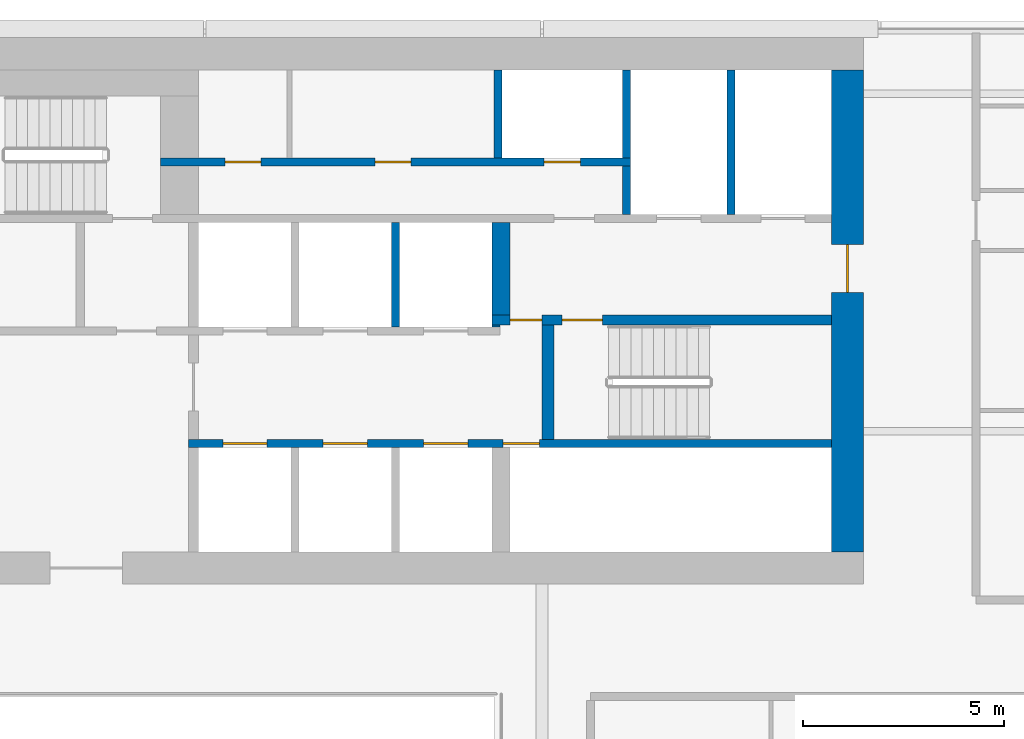
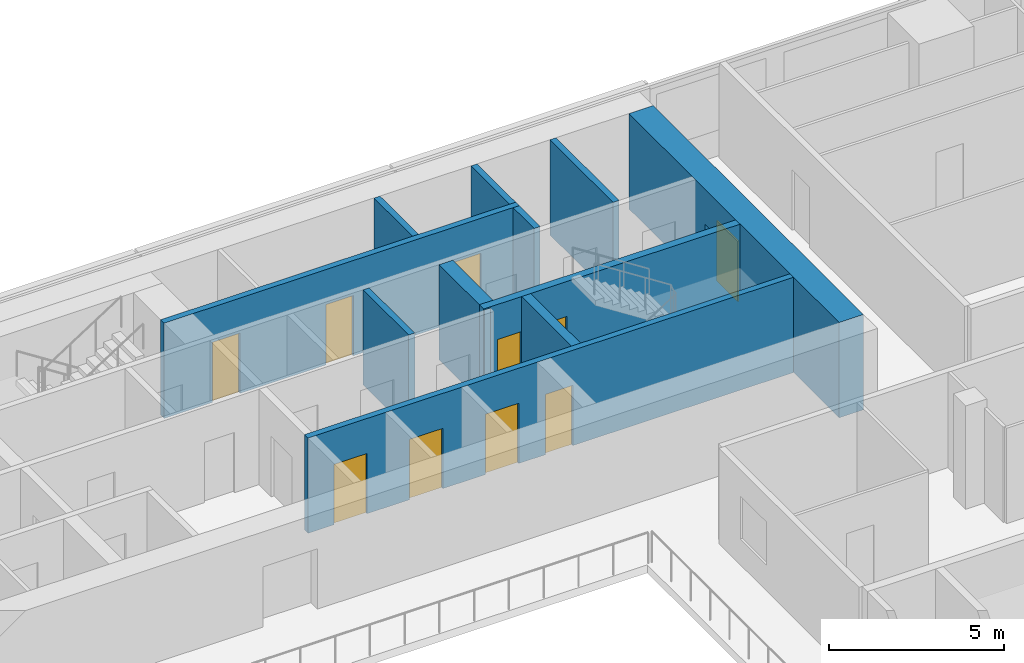
# One storey, part 23 of 29: 12 walls, 10 doors, 10 openings.
"""IFC4 building model written with IfcOpenShell, lengths in metres."""

from ifc_helpers import new_model, si_unit, direction, frame, frame_2d, origin, place, context, subcontext, project, spatial, rectangle, extrude, material, layer, layer_set, type_object, element, fill, save


model = new_model("IFC4")

# Units and contexts
model_context = context("Model", 3, precision=1e-05, world=origin(), true_north=direction((0.0, 1.0)))
body_context = subcontext(model_context, "Body", "Model", "MODEL_VIEW")
ifc_project = project(units=[si_unit("LENGTHUNIT", "METRE"), si_unit("AREAUNIT", "SQUARE_METRE"), si_unit("VOLUMEUNIT", "CUBIC_METRE"), si_unit("PLANEANGLEUNIT", "RADIAN"), si_unit("MASSUNIT", "GRAM", prefix="KILO")], contexts=[model_context])

# Site, building, storey
site_placement = place(None, origin())
site = spatial("IfcSite", under=ifc_project, at=site_placement, CompositionType="ELEMENT")
building_placement = place(site_placement, origin())
building = spatial("IfcBuilding", under=site, at=building_placement, Name="Saffron Gate Tower", CompositionType="ELEMENT")
storey_placement = place(building_placement, frame((0.0, 0.0, 161.85009765625)))
storey = spatial("IfcBuildingStorey", under=building, at=storey_placement, Name="L39", CompositionType="ELEMENT", Elevation=161.85009765625)

# Wall, opening, door
ifc_material_1 = material(Name="Concrete C60", Category="concrete")
ifc_layer_1 = layer(ifc_material_1, 0.800048828125)
ifc_layer_set_1 = layer_set([ifc_layer_1], Name="CW13 RC core wall 800 C60")
wall_type_1 = type_object("IfcWallType", Name="CW13 RC core wall 800 C60", PredefinedType="SOLIDWALL", material=ifc_layer_set_1)
wall_1_placement = place(storey_placement, frame((107.800048828125, 62.39990234375, 0.0), z_axis=(0.0, 0.0, 1.0), x_axis=(0.0, 1.0, 0.0)))
wall_1 = element("IfcWall", 1, at=wall_1_placement, inside=storey, type_object=wall_type_1, Name="Wall CW13-L39-4", PredefinedType="SOLIDWALL", context=body_context, shape_type="SweptSolid", body=[
    extrude(rectangle(XDim=12.0, YDim=0.800048828125, at=frame_2d((6.0, 0.0))), origin(), (0.0, 0.0, 1.0), 3.31982421875),
])
opening_1_placement = place(wall_1_placement, frame((6.449951171875, 0.0, 0.0)))
opening_1 = element("IfcOpeningElement", 2, at=opening_1_placement, cuts=wall_1, Name="Opening CR-08", PredefinedType="OPENING", context=body_context, shape_type="SweptSolid", body=[
    extrude(rectangle(XDim=1.199951171875, YDim=2.10009765625, at=frame_2d((0.60009765625, 1.050048828125))), frame((0.0, 0.41015625, 0.0), z_axis=(0.0, -1.0, 0.0), x_axis=(1.0, 0.0, 0.0)), (0.0, 0.0, 1.0), 0.820068359375),
])
ifc_material_2 = material(Name="Steel fire door set", Category="steel")
door_type_1 = type_object("IfcDoorType", Name="CD7 Core entrance door 1200x2100 EI 120", OperationType="NOTDEFINED", PredefinedType="DOOR", material=ifc_material_2)
door_1_placement = place(opening_1_placement, origin())
door_1 = element("IfcDoor", 3, at=door_1_placement, inside=storey, type_object=door_type_1, Name="DOOR CR-08", OperationType="SINGLE_SWING_RIGHT", OverallHeight=2.10009765625, OverallWidth=1.199951171875, PredefinedType="DOOR", context=body_context, shape_type="SweptSolid", body=[
    extrude(rectangle(XDim=1.199951171875, YDim=2.10009765625, at=frame_2d((0.60009765625, 1.050048828125))), frame((0.0, 0.02490234375, 0.0), z_axis=(0.0, -1.0, 0.0), x_axis=(1.0, 0.0, 0.0)), (0.0, 0.0, 1.0), 0.050048828125),
])
fill(opening_1, door_1)

# Wall, openings, doors
ifc_layer_2 = layer(ifc_material_1, 0.25)
ifc_layer_set_2 = layer_set([ifc_layer_2], Name="CW14 RC core wall 250 C60")
wall_type_2 = type_object("IfcWallType", Name="CW14 RC core wall 250 C60", PredefinedType="SOLIDWALL", material=ifc_layer_set_2)
wall_2_placement = place(storey_placement, frame((98.949951171875, 68.175048828125, 0.0), z_axis=(0.0, 0.0, 1.0), x_axis=(1.0, 0.0, 0.0)))
wall_2 = element("IfcWall", 4, at=wall_2_placement, inside=storey, type_object=wall_type_2, Name="Wall CW14-L39-27", PredefinedType="SOLIDWALL", context=body_context, shape_type="SweptSolid", body=[
    extrude(rectangle(XDim=8.449951171875, YDim=0.25, at=frame_2d((4.22509765625, 0.0))), origin(), (0.0, 0.0, 1.0), 3.31982421875),
])
opening_2_placement = place(wall_2_placement, frame((0.449951171875, 0.0, 0.0)))
opening_2 = element("IfcOpeningElement", 5, at=opening_2_placement, cuts=wall_2, Name="Opening CR-05", PredefinedType="OPENING", context=body_context, shape_type="SweptSolid", body=[
    extrude(rectangle(XDim=0.800048828125, YDim=2.10009765625, at=frame_2d((0.39990234375, 1.050048828125))), frame((0.0, 0.135009765625, 0.0), z_axis=(0.0, -1.0, 0.0), x_axis=(1.0, 0.0, 0.0)), (0.0, 0.0, 1.0), 0.27001953125),
])
opening_3_placement = place(wall_2_placement, frame((1.75, 0.0, 0.0)))
opening_3 = element("IfcOpeningElement", 6, at=opening_3_placement, cuts=wall_2, Name="Opening CR-16", PredefinedType="OPENING", context=body_context, shape_type="SweptSolid", body=[
    extrude(rectangle(XDim=1.0, YDim=2.10009765625, at=frame_2d((0.5, 1.050048828125))), frame((0.0, 0.135009765625, 0.0), z_axis=(0.0, -1.0, 0.0), x_axis=(1.0, 0.0, 0.0)), (0.0, 0.0, 1.0), 0.27001953125),
])
door_type_2 = type_object("IfcDoorType", Name="CD5 Stair door 1000x2100 EI 120", OperationType="NOTDEFINED", PredefinedType="DOOR", material=ifc_material_2)
door_2_placement = place(opening_3_placement, origin())
door_2 = element("IfcDoor", 7, at=door_2_placement, inside=storey, type_object=door_type_2, Name="DOOR CR-16", OperationType="SINGLE_SWING_RIGHT", OverallHeight=2.10009765625, OverallWidth=1.0, PredefinedType="DOOR", context=body_context, shape_type="SweptSolid", body=[
    extrude(rectangle(XDim=1.0, YDim=2.10009765625, at=frame_2d((0.5, 1.050048828125))), frame((0.0, 0.02490234375, 0.0), z_axis=(0.0, -1.0, 0.0), x_axis=(1.0, 0.0, 0.0)), (0.0, 0.0, 1.0), 0.050048828125),
])
fill(opening_3, door_2)
door_type_3 = type_object("IfcDoorType", Name="CD6 Lobby door 800x2100 EI 120", OperationType="NOTDEFINED", PredefinedType="DOOR", material=ifc_material_2)
door_3_placement = place(opening_2_placement, origin())
door_3 = element("IfcDoor", 8, at=door_3_placement, inside=storey, type_object=door_type_3, Name="DOOR CR-05", OperationType="SINGLE_SWING_LEFT", OverallHeight=2.10009765625, OverallWidth=0.800048828125, PredefinedType="DOOR", context=body_context, shape_type="SweptSolid", body=[
    extrude(rectangle(XDim=0.800048828125, YDim=2.10009765625, at=frame_2d((0.39990234375, 1.050048828125))), frame((0.0, 0.02490234375, 0.0), z_axis=(0.0, -1.0, 0.0), x_axis=(1.0, 0.0, 0.0)), (0.0, 0.0, 1.0), 0.050048828125),
])
fill(opening_2, door_3)

ifc_layer_3 = layer(ifc_material_1, 0.199951171875)
ifc_layer_set_3 = layer_set([ifc_layer_3], Name="CW15 RC core wall 200 C60")
wall_type_3 = type_object("IfcWallType", Name="CW15 RC core wall 200 C60", PredefinedType="SOLIDWALL", material=ifc_layer_set_3)
wall_3_placement = place(storey_placement, frame((91.39990234375, 65.10009765625, 0.0), z_axis=(0.0, 0.0, 1.0), x_axis=(1.0, 0.0, 0.0)))
wall_3 = element("IfcWall", 9, at=wall_3_placement, inside=storey, type_object=wall_type_3, Name="Wall CW15-L39-14", PredefinedType="SOLIDWALL", context=body_context, shape_type="SweptSolid", body=[
    extrude(rectangle(XDim=16.0, YDim=0.199951171875, at=frame_2d((8.0, 0.0))), origin(), (0.0, 0.0, 1.0), 3.31982421875),
])
opening_4_placement = place(wall_3_placement, frame((0.85009765625, 0.0, 0.0)))
opening_4 = element("IfcOpeningElement", 10, at=opening_4_placement, cuts=wall_3, Name="Opening LD-HR1", PredefinedType="OPENING", context=body_context, shape_type="SweptSolid", body=[
    extrude(rectangle(XDim=1.10009765625, YDim=2.10009765625, at=frame_2d((0.550048828125, 1.050048828125))), frame((0.0, 0.10986328125, 0.0), z_axis=(0.0, -1.0, 0.0), x_axis=(1.0, 0.0, 0.0)), (0.0, 0.0, 1.0), 0.219970703125),
])
opening_5_placement = place(wall_3_placement, frame((3.35009765625, 0.0, 0.0)))
opening_5 = element("IfcOpeningElement", 11, at=opening_5_placement, cuts=wall_3, Name="Opening LD-HR2", PredefinedType="OPENING", context=body_context, shape_type="SweptSolid", body=[
    extrude(rectangle(XDim=1.10009765625, YDim=2.10009765625, at=frame_2d((0.550048828125, 1.050048828125))), frame((0.0, 0.10986328125, 0.0), z_axis=(0.0, -1.0, 0.0), x_axis=(1.0, 0.0, 0.0)), (0.0, 0.0, 1.0), 0.219970703125),
])
opening_6_placement = place(wall_3_placement, frame((5.85009765625, 0.0, 0.0)))
opening_6 = element("IfcOpeningElement", 12, at=opening_6_placement, cuts=wall_3, Name="Opening LD-HR3", PredefinedType="OPENING", context=body_context, shape_type="SweptSolid", body=[
    extrude(rectangle(XDim=1.10009765625, YDim=2.10009765625, at=frame_2d((0.550048828125, 1.050048828125))), frame((0.0, 0.10986328125, 0.0), z_axis=(0.0, -1.0, 0.0), x_axis=(1.0, 0.0, 0.0)), (0.0, 0.0, 1.0), 0.219970703125),
])
opening_7_placement = place(wall_3_placement, frame((7.830078125, 0.0, 0.0)))
opening_7 = element("IfcOpeningElement", 13, at=opening_7_placement, cuts=wall_3, Name="Opening CR-48", PredefinedType="OPENING", context=body_context, shape_type="SweptSolid", body=[
    extrude(rectangle(XDim=0.89990234375, YDim=2.10009765625, at=frame_2d((0.449951171875, 1.050048828125))), frame((0.0, 0.10986328125, 0.0), z_axis=(0.0, -1.0, 0.0), x_axis=(1.0, 0.0, 0.0)), (0.0, 0.0, 1.0), 0.219970703125),
])
door_type_4 = type_object("IfcDoorType", Name="CD2 Riser door 900x2100 EI 60", OperationType="NOTDEFINED", PredefinedType="DOOR", material=ifc_material_2)
door_4_placement = place(opening_7_placement, origin())
door_4 = element("IfcDoor", 14, at=door_4_placement, inside=storey, type_object=door_type_4, Name="DOOR CR-48", OperationType="SINGLE_SWING_RIGHT", OverallHeight=2.10009765625, OverallWidth=0.89990234375, PredefinedType="DOOR", context=body_context, shape_type="SweptSolid", body=[
    extrude(rectangle(XDim=0.89990234375, YDim=2.10009765625, at=frame_2d((0.449951171875, 1.050048828125))), frame((0.0, 0.02490234375, 0.0), z_axis=(0.0, -1.0, 0.0), x_axis=(1.0, 0.0, 0.0)), (0.0, 0.0, 1.0), 0.050048828125),
])
fill(opening_7, door_4)
ifc_material_3 = material(Name="Stainless steel landing door", Category="steel")
door_type_5 = type_object("IfcDoorType", Name="LD Lift landing door 1100x2100 EI 120", OperationType="SLIDING_TO_LEFT", PredefinedType="DOOR", material=ifc_material_3)
door_5_placement = place(opening_4_placement, origin())
door_5 = element("IfcDoor", 15, at=door_5_placement, inside=storey, type_object=door_type_5, Name="LANDING DOOR LD-HR1", OperationType="SLIDING_TO_LEFT", OverallHeight=2.10009765625, OverallWidth=1.10009765625, PredefinedType="DOOR", context=body_context, shape_type="SweptSolid", body=[
    extrude(rectangle(XDim=1.10009765625, YDim=2.10009765625, at=frame_2d((0.550048828125, 1.050048828125))), frame((0.0, 0.02490234375, 0.0), z_axis=(0.0, -1.0, 0.0), x_axis=(1.0, 0.0, 0.0)), (0.0, 0.0, 1.0), 0.050048828125),
])
fill(opening_4, door_5)
door_6_placement = place(opening_5_placement, origin())
door_6 = element("IfcDoor", 16, at=door_6_placement, inside=storey, type_object=door_type_5, Name="LANDING DOOR LD-HR2", OperationType="SLIDING_TO_LEFT", OverallHeight=2.10009765625, OverallWidth=1.10009765625, PredefinedType="DOOR", context=body_context, shape_type="SweptSolid", body=[
    extrude(rectangle(XDim=1.10009765625, YDim=2.10009765625, at=frame_2d((0.550048828125, 1.050048828125))), frame((0.0, 0.02490234375, 0.0), z_axis=(0.0, -1.0, 0.0), x_axis=(1.0, 0.0, 0.0)), (0.0, 0.0, 1.0), 0.050048828125),
])
fill(opening_5, door_6)
door_7_placement = place(opening_6_placement, origin())
door_7 = element("IfcDoor", 17, at=door_7_placement, inside=storey, type_object=door_type_5, Name="LANDING DOOR LD-HR3", OperationType="SLIDING_TO_LEFT", OverallHeight=2.10009765625, OverallWidth=1.10009765625, PredefinedType="DOOR", context=body_context, shape_type="SweptSolid", body=[
    extrude(rectangle(XDim=1.10009765625, YDim=2.10009765625, at=frame_2d((0.550048828125, 1.050048828125))), frame((0.0, 0.02490234375, 0.0), z_axis=(0.0, -1.0, 0.0), x_axis=(1.0, 0.0, 0.0)), (0.0, 0.0, 1.0), 0.050048828125),
])
fill(opening_6, door_7)

# Walls
wall_4_placement = place(storey_placement, frame((96.550048828125, 68.0, 0.0), z_axis=(0.0, 0.0, 1.0), x_axis=(0.0, 1.0, 0.0)))
element("IfcWall", 18, at=wall_4_placement, inside=storey, type_object=wall_type_3, Name="Wall CW15-L39-24", PredefinedType="SOLIDWALL", context=body_context, shape_type="SweptSolid", body=[
    extrude(rectangle(XDim=2.60009765625, YDim=0.199951171875, at=frame_2d((1.300048828125, 0.0))), origin(), (0.0, 0.0, 1.0), 3.31982421875),
])
wall_5_placement = place(storey_placement, frame((102.300048828125, 70.800048828125, 0.0), z_axis=(0.0, 0.0, 1.0), x_axis=(0.0, 1.0, 0.0)))
element("IfcWall", 19, at=wall_5_placement, inside=storey, type_object=wall_type_3, Name="Wall CW15-L39-35", PredefinedType="SOLIDWALL", context=body_context, shape_type="SweptSolid", body=[
    extrude(rectangle(XDim=1.199951171875, YDim=0.199951171875, at=frame_2d((0.60009765625, 0.0))), origin(), (0.0, 0.0, 1.0), 3.31982421875),
])
wall_6_placement = place(storey_placement, frame((104.89990234375, 70.800048828125, 0.0), z_axis=(0.0, 0.0, 1.0), x_axis=(0.0, 1.0, 0.0)))
element("IfcWall", 20, at=wall_6_placement, inside=storey, type_object=wall_type_3, Name="Wall CW15-L39-36", PredefinedType="SOLIDWALL", context=body_context, shape_type="SweptSolid", body=[
    extrude(rectangle(XDim=3.599853515625, YDim=0.199951171875, at=frame_2d((1.7998046875, 0.0))), origin(), (0.0, 0.0, 1.0), 3.31982421875),
])

# Wall, openings, doors
wall_7_placement = place(storey_placement, frame((90.699951171875, 72.10009765625, 0.0), z_axis=(0.0, 0.0, 1.0), x_axis=(1.0, 0.0, 0.0)))
wall_7 = element("IfcWall", 21, at=wall_7_placement, inside=storey, type_object=wall_type_3, Name="Wall CW15-L39-38", PredefinedType="SOLIDWALL", context=body_context, shape_type="SweptSolid", body=[
    extrude(rectangle(XDim=11.699951171875, YDim=0.199951171875, at=frame_2d((5.85009765625, 0.0))), origin(), (0.0, 0.0, 1.0), 3.31982421875),
])
opening_8_placement = place(wall_7_placement, frame((1.60009765625, 0.0, 0.0)))
opening_8 = element("IfcOpeningElement", 22, at=opening_8_placement, cuts=wall_7, Name="Opening CR-50", PredefinedType="OPENING", context=body_context, shape_type="SweptSolid", body=[
    extrude(rectangle(XDim=0.89990234375, YDim=2.10009765625, at=frame_2d((0.449951171875, 1.050048828125))), frame((0.0, 0.10986328125, 0.0), z_axis=(0.0, -1.0, 0.0), x_axis=(1.0, 0.0, 0.0)), (0.0, 0.0, 1.0), 0.219970703125),
])
opening_9_placement = place(wall_7_placement, frame((5.3349609375, 0.0, 0.0)))
opening_9 = element("IfcOpeningElement", 23, at=opening_9_placement, cuts=wall_7, Name="Opening CR-53", PredefinedType="OPENING", context=body_context, shape_type="SweptSolid", body=[
    extrude(rectangle(XDim=0.89990234375, YDim=2.10009765625, at=frame_2d((0.449951171875, 1.050048828125))), frame((0.0, 0.10986328125, 0.0), z_axis=(0.0, -1.0, 0.0), x_axis=(1.0, 0.0, 0.0)), (0.0, 0.0, 1.0), 0.219970703125),
])
opening_10_placement = place(wall_7_placement, frame((9.550048828125, 0.0, 0.0)))
opening_10 = element("IfcOpeningElement", 24, at=opening_10_placement, cuts=wall_7, Name="Opening CR-70", PredefinedType="OPENING", context=body_context, shape_type="SweptSolid", body=[
    extrude(rectangle(XDim=0.89990234375, YDim=2.10009765625, at=frame_2d((0.449951171875, 1.050048828125))), frame((0.0, 0.10986328125, 0.0), z_axis=(0.0, -1.0, 0.0), x_axis=(1.0, 0.0, 0.0)), (0.0, 0.0, 1.0), 0.219970703125),
])
door_8_placement = place(opening_10_placement, origin())
door_8 = element("IfcDoor", 25, at=door_8_placement, inside=storey, type_object=door_type_4, Name="DOOR CR-70", OperationType="SINGLE_SWING_LEFT", OverallHeight=2.10009765625, OverallWidth=0.89990234375, PredefinedType="DOOR", context=body_context, shape_type="SweptSolid", body=[
    extrude(rectangle(XDim=0.89990234375, YDim=2.10009765625, at=frame_2d((0.449951171875, 1.050048828125))), frame((0.0, 0.02490234375, 0.0), z_axis=(0.0, -1.0, 0.0), x_axis=(1.0, 0.0, 0.0)), (0.0, 0.0, 1.0), 0.050048828125),
])
fill(opening_10, door_8)
door_type_6 = type_object("IfcDoorType", Name="CD9 Room door 900x2100 EI 60", OperationType="NOTDEFINED", PredefinedType="DOOR", material=ifc_material_2)
door_9_placement = place(opening_8_placement, origin())
door_9 = element("IfcDoor", 26, at=door_9_placement, inside=storey, type_object=door_type_6, Name="DOOR CR-50", OperationType="SINGLE_SWING_LEFT", OverallHeight=2.10009765625, OverallWidth=0.89990234375, PredefinedType="DOOR", context=body_context, shape_type="SweptSolid", body=[
    extrude(rectangle(XDim=0.89990234375, YDim=2.10009765625, at=frame_2d((0.449951171875, 1.050048828125))), frame((0.0, 0.02490234375, 0.0), z_axis=(0.0, -1.0, 0.0), x_axis=(1.0, 0.0, 0.0)), (0.0, 0.0, 1.0), 0.050048828125),
])
fill(opening_8, door_9)
door_10_placement = place(opening_9_placement, origin())
door_10 = element("IfcDoor", 27, at=door_10_placement, inside=storey, type_object=door_type_6, Name="DOOR CR-53", OperationType="SINGLE_SWING_LEFT", OverallHeight=2.10009765625, OverallWidth=0.89990234375, PredefinedType="DOOR", context=body_context, shape_type="SweptSolid", body=[
    extrude(rectangle(XDim=0.89990234375, YDim=2.10009765625, at=frame_2d((0.449951171875, 1.050048828125))), frame((0.0, 0.02490234375, 0.0), z_axis=(0.0, -1.0, 0.0), x_axis=(1.0, 0.0, 0.0)), (0.0, 0.0, 1.0), 0.050048828125),
])
fill(opening_9, door_10)

# Walls
for number, where, z_axis, x_axis, name in (
    (28, (99.10009765625, 72.199951171875, 0.0), (0.0, 0.0, 1.0), (0.0, 1.0, 0.0), "Wall CW15-L39-46"),
    (29, (102.300048828125, 72.199951171875, 0.0), (0.0, 0.0, 1.0), (0.0, 1.0, 0.0), "Wall CW15-L39-47"),
):
    element("IfcWall", number, at=place(storey_placement, frame(where, z_axis=z_axis, x_axis=x_axis)), inside=storey, type_object=wall_type_3, Name=name, PredefinedType="SOLIDWALL", context=body_context, shape_type="SweptSolid", body=[
        extrude(rectangle(XDim=2.199951171875, YDim=0.199951171875, at=frame_2d((1.10009765625, 0.0))), origin(), (0.0, 0.0, 1.0), 3.31982421875),
    ])
ifc_layer_4 = layer(ifc_material_1, 0.449951171875)
ifc_layer_set_4 = layer_set([ifc_layer_4], Name="CW16 RC core wall 450 C60")
wall_type_4 = type_object("IfcWallType", Name="CW16 RC core wall 450 C60", PredefinedType="SOLIDWALL", material=ifc_layer_set_4)
wall_8_placement = place(storey_placement, frame((99.175048828125, 68.300048828125, 0.0), z_axis=(0.0, 0.0, 1.0), x_axis=(0.0, 1.0, 0.0)))
element("IfcWall", 30, at=wall_8_placement, inside=storey, type_object=wall_type_4, Name="Wall CW16-L39-29", PredefinedType="SOLIDWALL", context=body_context, shape_type="SweptSolid", body=[
    extrude(rectangle(XDim=2.300048828125, YDim=0.449951171875, at=frame_2d((1.14990234375, 0.0))), origin(), (0.0, 0.0, 1.0), 3.31982421875),
])
ifc_layer_5 = layer(ifc_material_1, 0.300048828125)
ifc_layer_set_5 = layer_set([ifc_layer_5], Name="CW17 RC core wall 300 C60")
wall_type_5 = type_object("IfcWallType", Name="CW17 RC core wall 300 C60", PredefinedType="SOLIDWALL", material=ifc_layer_set_5)
wall_9_placement = place(storey_placement, frame((100.35009765625, 65.199951171875, 0.0), z_axis=(0.0, 0.0, 1.0), x_axis=(0.0, 1.0, 0.0)))
element("IfcWall", 31, at=wall_9_placement, inside=storey, type_object=wall_type_5, Name="Wall CW17-L39-18", PredefinedType="SOLIDWALL", context=body_context, shape_type="SweptSolid", body=[
    extrude(rectangle(XDim=2.85009765625, YDim=0.300048828125, at=frame_2d((1.425048828125, 0.0))), origin(), (0.0, 0.0, 1.0), 3.31982421875),
])
ifc_layer_6 = layer(ifc_material_1, 0.050048828125)
ifc_layer_set_6 = layer_set([ifc_layer_6], Name="CW18 RC core wall 50 C60")
wall_type_6 = type_object("IfcWallType", Name="CW18 RC core wall 50 C60", PredefinedType="SOLIDWALL", material=ifc_layer_set_6)
wall_10_placement = place(storey_placement, frame((98.949951171875, 68.02490234375, 0.0), z_axis=(0.0, 0.0, 1.0), x_axis=(1.0, 0.0, 0.0)))
element("IfcWall", 32, at=wall_10_placement, inside=storey, type_object=wall_type_6, Name="Wall CW18-L39-25", PredefinedType="SOLIDWALL", context=body_context, shape_type="SweptSolid", body=[
    extrude(rectangle(XDim=0.199951171875, YDim=0.050048828125, at=frame_2d((0.10009765625, 0.0))), origin(), (0.0, 0.0, 1.0), 3.31982421875),
])

save(model, "model.ifc")
